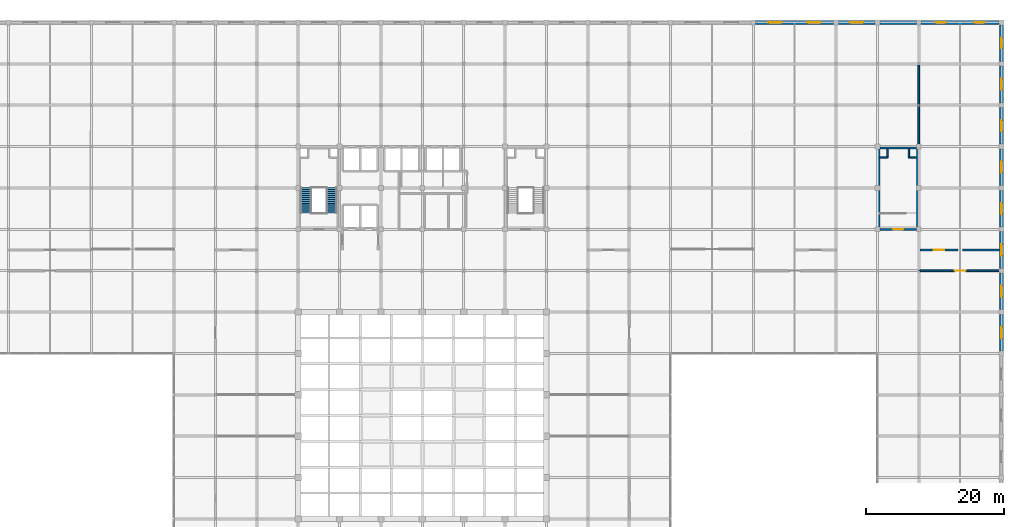
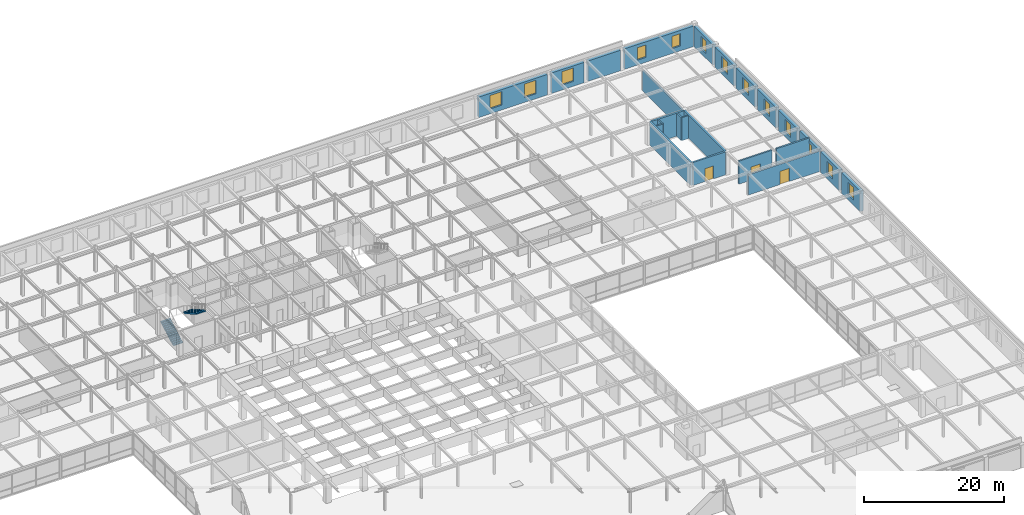
# One storey, part 109 of 111: 24 walls, 13 windows, 3 doors, 2 stair flights, 16 openings, 1 element without a shape of its own.
"""IFC4 building model written with IfcOpenShell, lengths in metres."""

from ifc_helpers import new_model, si_unit, direction, frame, frame_2d, origin, place, context, subcontext, project, spatial, polyline, rectangle, outline, extrude, material, layer, layer_set, type_object, element, fill, aggregate, save


model = new_model("IFC4")

# Units and contexts
model_context = context("Model", 3, precision=1e-05, world=origin(), true_north=direction((0.0, 1.0)))
body_context = subcontext(model_context, "Body", "Model", "MODEL_VIEW")
ifc_project = project(units=[si_unit("LENGTHUNIT", "METRE"), si_unit("AREAUNIT", "SQUARE_METRE"), si_unit("VOLUMEUNIT", "CUBIC_METRE"), si_unit("PLANEANGLEUNIT", "RADIAN"), si_unit("MASSUNIT", "GRAM", prefix="KILO")], contexts=[model_context])

# Site, building, storey
site_placement = place(None, origin())
site = spatial("IfcSite", under=ifc_project, at=site_placement, CompositionType="ELEMENT")
building_placement = place(site_placement, origin())
building = spatial("IfcBuilding", under=site, at=building_placement, Name="Zlatovratsky Civic Hall", CompositionType="ELEMENT")
storey_placement = place(building_placement, frame((0.0, 0.0, 16.5)))
storey = spatial("IfcBuildingStorey", under=building, at=storey_placement, Name="L04", CompositionType="ELEMENT", Elevation=16.5)

# Wall, opening, door
ifc_material_1 = material(Name="Acoustic ceramic blockwork", Category="masonry")
ifc_layer_1 = layer(ifc_material_1, 0.260009765625)
ifc_layer_set_1 = layer_set([ifc_layer_1], Name="Acoustic ceramic blockwork")
wall_type_1 = type_object("IfcWallType", Name="Wall_ArchiveCompartment_260", PredefinedType="PARTITIONING", material=ifc_layer_set_1)
wall_1_placement = place(storey_placement, frame((156.0, 78.0, 0.0), z_axis=(0.0, 0.0, 1.0), x_axis=(1.0, 0.0, 0.0)))
wall_1 = element("IfcWall", 1, at=wall_1_placement, inside=storey, type_object=wall_type_1, Name="WL-6223", PredefinedType="PARTITIONING", context=body_context, shape_type="SweptSolid", body=[
    extrude(rectangle(XDim=12.0, YDim=0.260009765625, at=frame_2d((6.0, 0.0))), origin(), (0.0, 0.0, 1.0), 3.512939453125),
])
opening_1_placement = place(wall_1_placement, frame((5.22509765625, 0.0, 0.0)))
opening_1 = element("IfcOpeningElement", 2, at=opening_1_placement, cuts=wall_1, Name="Opening D-15", PredefinedType="OPENING", context=body_context, shape_type="SweptSolid", body=[
    extrude(rectangle(XDim=1.550048828125, YDim=2.300048828125, at=frame_2d((0.77490234375, 1.14990234375))), frame((0.0, 0.14501953125, 0.0), z_axis=(0.0, -1.0, 0.0), x_axis=(1.0, 0.0, 0.0)), (0.0, 0.0, 1.0), 0.289794921875),
])
ifc_material_2 = material(Name="Insulated painted fire-rated steel leaf", Category="steel")
door_type_1 = type_object("IfcDoorType", Name="Door_CompactArchiveFire_1550x2300", OperationType="DOUBLE_DOOR_SINGLE_SWING", PredefinedType="DOOR", material=ifc_material_2)
door_1_placement = place(opening_1_placement, origin())
door_1 = element("IfcDoor", 3, at=door_1_placement, inside=storey, type_object=door_type_1, Name="DR-5324", OperationType="DOUBLE_DOOR_SINGLE_SWING", OverallHeight=2.300048828125, OverallWidth=1.550048828125, PredefinedType="DOOR", context=body_context, shape_type="SweptSolid", body=[
    extrude(rectangle(XDim=1.550048828125, YDim=2.300048828125, at=frame_2d((0.77490234375, 1.14990234375))), frame((0.0, 0.02490234375, 0.0), z_axis=(0.0, -1.0, 0.0), x_axis=(1.0, 0.0, 0.0)), (0.0, 0.0, 1.0), 0.050048828125),
])
fill(opening_1, door_1)

wall_2_placement = place(storey_placement, frame((156.199951171875, 81.0, 0.0), z_axis=(0.0, 0.0, 1.0), x_axis=(1.0, 0.0, 0.0)))
wall_2 = element("IfcWall", 4, at=wall_2_placement, inside=storey, type_object=wall_type_1, Name="WL-6239", PredefinedType="PARTITIONING", context=body_context, shape_type="SweptSolid", body=[
    extrude(rectangle(XDim=5.449951171875, YDim=0.260009765625, at=frame_2d((2.72509765625, 0.0))), origin(), (0.0, 0.0, 1.0), 4.0),
])
opening_2_placement = place(wall_2_placement, frame((1.949951171875, 0.0, 0.0)))
opening_2 = element("IfcOpeningElement", 5, at=opening_2_placement, cuts=wall_2, Name="Opening D-15", PredefinedType="OPENING", context=body_context, shape_type="SweptSolid", body=[
    extrude(rectangle(XDim=1.550048828125, YDim=2.300048828125, at=frame_2d((0.77490234375, 1.14990234375))), frame((0.0, 0.14501953125, 0.0), z_axis=(0.0, -1.0, 0.0), x_axis=(1.0, 0.0, 0.0)), (0.0, 0.0, 1.0), 0.289794921875),
])
door_2_placement = place(opening_2_placement, origin())
door_2 = element("IfcDoor", 6, at=door_2_placement, inside=storey, type_object=door_type_1, Name="DR-5340", OperationType="DOUBLE_DOOR_SINGLE_SWING", OverallHeight=2.300048828125, OverallWidth=1.550048828125, PredefinedType="DOOR", context=body_context, shape_type="SweptSolid", body=[
    extrude(rectangle(XDim=1.550048828125, YDim=2.300048828125, at=frame_2d((0.77490234375, 1.14990234375))), frame((0.0, 0.02490234375, 0.0), z_axis=(0.0, -1.0, 0.0), x_axis=(1.0, 0.0, 0.0)), (0.0, 0.0, 1.0), 0.050048828125),
])
fill(opening_2, door_2)

# Walls
wall_3_placement = place(storey_placement, frame((162.35009765625, 81.0, 0.0), z_axis=(0.0, 0.0, 1.0), x_axis=(1.0, 0.0, 0.0)))
element("IfcWall", 7, at=wall_3_placement, inside=storey, type_object=wall_type_1, Name="WL-6249", PredefinedType="PARTITIONING", context=body_context, shape_type="SweptSolid", body=[
    extrude(rectangle(XDim=5.449951171875, YDim=0.260009765625, at=frame_2d((2.72509765625, 0.0))), origin(), (0.0, 0.0, 1.0), 4.0),
])
wall_4_placement = place(storey_placement, frame((156.0, 96.199951171875, 0.0), z_axis=(0.0, 0.0, 1.0), x_axis=(0.0, 1.0, 0.0)))
element("IfcWall", 8, at=wall_4_placement, inside=storey, type_object=wall_type_1, Name="WL-6251", PredefinedType="PARTITIONING", context=body_context, shape_type="SweptSolid", body=[
    extrude(rectangle(XDim=11.60009765625, YDim=0.260009765625, at=frame_2d((5.800048828125, 0.0))), origin(), (0.0, 0.0, 1.0), 3.56005859375),
])

# Wall, openings, windows
ifc_layer_2 = layer(ifc_material_1, 0.39990234375, Name="Backing")
ifc_material_3 = material(Name="Polished Karelian granite ashlar", Category="masonry")
ifc_layer_3 = layer(ifc_material_3, 0.139892578125, Name="Finish")
ifc_layer_set_2 = layer_set([ifc_layer_2, ifc_layer_3], Name="Acoustic ceramic blockwork")
wall_type_2 = type_object("IfcWallType", Name="Wall_PodiumGraniteArcade_540", PredefinedType="SOLIDWALL", material=ifc_layer_set_2)
wall_5_placement = place(storey_placement, frame((132.35009765625, 114.0, 0.0), z_axis=(0.0, 0.0, 1.0), x_axis=(1.0, 0.0, 0.0)))
wall_5 = element("IfcWall", 9, at=wall_5_placement, inside=storey, type_object=wall_type_2, Name="WL-0351", PredefinedType="SOLIDWALL", context=body_context, shape_type="SweptSolid", body=[
    extrude(rectangle(XDim=11.2998046875, YDim=0.5400390625, at=frame_2d((5.64990234375, 0.0))), origin(), (0.0, 0.0, 1.0), 3.550048828125),
])
opening_3_placement = place(wall_5_placement, frame((1.85009765625, 0.0, 0.85009765625)))
opening_3 = element("IfcOpeningElement", 10, at=opening_3_placement, cuts=wall_5, Name="Opening WN-11", PredefinedType="OPENING", context=body_context, shape_type="SweptSolid", body=[
    extrude(rectangle(XDim=1.949951171875, YDim=2.35009765625, at=frame_2d((0.97509765625, 1.175048828125))), frame((0.0, 0.284912109375, 0.0), z_axis=(0.0, -1.0, 0.0), x_axis=(1.0, 0.0, 0.0)), (0.0, 0.0, 1.0), 0.56982421875),
])
opening_4_placement = place(wall_5_placement, frame((7.5, 0.0, 0.85009765625)))
opening_4 = element("IfcOpeningElement", 11, at=opening_4_placement, cuts=wall_5, Name="Opening WN-11", PredefinedType="OPENING", context=body_context, shape_type="SweptSolid", body=[
    extrude(rectangle(XDim=1.949951171875, YDim=2.35009765625, at=frame_2d((0.97509765625, 1.175048828125))), frame((0.0, 0.284912109375, 0.0), z_axis=(0.0, -1.0, 0.0), x_axis=(1.0, 0.0, 0.0)), (0.0, 0.0, 1.0), 0.56982421875),
])
ifc_material_4 = material(Name="Low-E laminated double glazing", Category="glass")
window_type_1 = type_object("IfcWindowType", Name="Window_AuditWingL04_1950x2350", PartitioningType="SINGLE_PANEL", PredefinedType="WINDOW", material=ifc_material_4)
window_1_placement = place(opening_3_placement, origin())
window_1 = element("IfcWindow", 12, at=window_1_placement, inside=storey, type_object=window_type_1, Name="WN-0278", OverallHeight=2.35009765625, OverallWidth=1.949951171875, PartitioningType="SINGLE_PANEL", PredefinedType="WINDOW", context=body_context, shape_type="SweptSolid", body=[
    extrude(rectangle(XDim=1.949951171875, YDim=2.35009765625, at=frame_2d((0.97509765625, 1.175048828125))), frame((0.0, 0.030029296875, 0.0), z_axis=(0.0, -1.0, 0.0), x_axis=(1.0, 0.0, 0.0)), (0.0, 0.0, 1.0), 0.06005859375),
])
fill(opening_3, window_1)
window_2_placement = place(opening_4_placement, origin())
window_2 = element("IfcWindow", 13, at=window_2_placement, inside=storey, type_object=window_type_1, Name="WN-0279", OverallHeight=2.35009765625, OverallWidth=1.949951171875, PartitioningType="SINGLE_PANEL", PredefinedType="WINDOW", context=body_context, shape_type="SweptSolid", body=[
    extrude(rectangle(XDim=1.949951171875, YDim=2.35009765625, at=frame_2d((0.97509765625, 1.175048828125))), frame((0.0, 0.030029296875, 0.0), z_axis=(0.0, -1.0, 0.0), x_axis=(1.0, 0.0, 0.0)), (0.0, 0.0, 1.0), 0.06005859375),
])
fill(opening_4, window_2)

# Wall, opening, window
wall_6_placement = place(storey_placement, frame((144.35009765625, 114.0, 0.0), z_axis=(0.0, 0.0, 1.0), x_axis=(1.0, 0.0, 0.0)))
wall_6 = element("IfcWall", 14, at=wall_6_placement, inside=storey, type_object=wall_type_2, Name="WL-0352", PredefinedType="SOLIDWALL", context=body_context, shape_type="SweptSolid", body=[
    extrude(rectangle(XDim=5.2998046875, YDim=0.5400390625, at=frame_2d((2.64990234375, 0.0))), origin(), (0.0, 0.0, 1.0), 3.550048828125),
])
opening_5_placement = place(wall_6_placement, frame((1.675048828125, 0.0, 0.85009765625)))
opening_5 = element("IfcOpeningElement", 15, at=opening_5_placement, cuts=wall_6, Name="Opening WN-11", PredefinedType="OPENING", context=body_context, shape_type="SweptSolid", body=[
    extrude(rectangle(XDim=1.949951171875, YDim=2.35009765625, at=frame_2d((0.97509765625, 1.175048828125))), frame((0.0, 0.284912109375, 0.0), z_axis=(0.0, -1.0, 0.0), x_axis=(1.0, 0.0, 0.0)), (0.0, 0.0, 1.0), 0.56982421875),
])
window_3_placement = place(opening_5_placement, origin())
window_3 = element("IfcWindow", 16, at=window_3_placement, inside=storey, type_object=window_type_1, Name="WN-0280", OverallHeight=2.35009765625, OverallWidth=1.949951171875, PartitioningType="SINGLE_PANEL", PredefinedType="WINDOW", context=body_context, shape_type="SweptSolid", body=[
    extrude(rectangle(XDim=1.949951171875, YDim=2.35009765625, at=frame_2d((0.97509765625, 1.175048828125))), frame((0.0, 0.030029296875, 0.0), z_axis=(0.0, -1.0, 0.0), x_axis=(1.0, 0.0, 0.0)), (0.0, 0.0, 1.0), 0.06005859375),
])
fill(opening_5, window_3)

# Wall
wall_7_placement = place(storey_placement, frame((150.35009765625, 114.0, 0.0), z_axis=(0.0, 0.0, 1.0), x_axis=(1.0, 0.0, 0.0)))
element("IfcWall", 17, at=wall_7_placement, inside=storey, type_object=wall_type_2, Name="WL-0353", PredefinedType="SOLIDWALL", context=body_context, shape_type="SweptSolid", body=[
    extrude(rectangle(XDim=5.2998046875, YDim=0.5400390625, at=frame_2d((2.64990234375, 0.0))), origin(), (0.0, 0.0, 1.0), 3.550048828125),
])

# Wall, openings, windows
wall_8_placement = place(storey_placement, frame((156.35009765625, 114.0, 0.0), z_axis=(0.0, 0.0, 1.0), x_axis=(1.0, 0.0, 0.0)))
wall_8 = element("IfcWall", 18, at=wall_8_placement, inside=storey, type_object=wall_type_2, Name="WL-0354", PredefinedType="SOLIDWALL", context=body_context, shape_type="SweptSolid", body=[
    extrude(rectangle(XDim=11.2998046875, YDim=0.5400390625, at=frame_2d((5.64990234375, 0.0))), origin(), (0.0, 0.0, 1.0), 3.550048828125),
])
opening_6_placement = place(wall_8_placement, frame((2.10009765625, 0.0, 0.85009765625)))
opening_6 = element("IfcOpeningElement", 19, at=opening_6_placement, cuts=wall_8, Name="Opening WN-28", PredefinedType="OPENING", context=body_context, shape_type="SweptSolid", body=[
    extrude(rectangle(XDim=1.449951171875, YDim=2.14990234375, at=frame_2d((0.72509765625, 1.074951171875))), frame((0.0, 0.284912109375, 0.0), z_axis=(0.0, -1.0, 0.0), x_axis=(1.0, 0.0, 0.0)), (0.0, 0.0, 1.0), 0.56982421875),
])
opening_7_placement = place(wall_8_placement, frame((7.75, 0.0, 0.85009765625)))
opening_7 = element("IfcOpeningElement", 20, at=opening_7_placement, cuts=wall_8, Name="Opening WN-28", PredefinedType="OPENING", context=body_context, shape_type="SweptSolid", body=[
    extrude(rectangle(XDim=1.449951171875, YDim=2.14990234375, at=frame_2d((0.72509765625, 1.074951171875))), frame((0.0, 0.284912109375, 0.0), z_axis=(0.0, -1.0, 0.0), x_axis=(1.0, 0.0, 0.0)), (0.0, 0.0, 1.0), 0.56982421875),
])
window_type_2 = type_object("IfcWindowType", Name="Window_CornerBastionUpper_1450x2150", PartitioningType="SINGLE_PANEL", PredefinedType="WINDOW", material=ifc_material_4)
window_4_placement = place(opening_6_placement, origin())
window_4 = element("IfcWindow", 21, at=window_4_placement, inside=storey, type_object=window_type_2, Name="WN-0281", OverallHeight=2.14990234375, OverallWidth=1.449951171875, PartitioningType="SINGLE_PANEL", PredefinedType="WINDOW", context=body_context, shape_type="SweptSolid", body=[
    extrude(rectangle(XDim=1.449951171875, YDim=2.14990234375, at=frame_2d((0.72509765625, 1.074951171875))), frame((0.0, 0.030029296875, 0.0), z_axis=(0.0, -1.0, 0.0), x_axis=(1.0, 0.0, 0.0)), (0.0, 0.0, 1.0), 0.06005859375),
])
fill(opening_6, window_4)
window_5_placement = place(opening_7_placement, origin())
window_5 = element("IfcWindow", 22, at=window_5_placement, inside=storey, type_object=window_type_2, Name="WN-0282", OverallHeight=2.14990234375, OverallWidth=1.449951171875, PartitioningType="SINGLE_PANEL", PredefinedType="WINDOW", context=body_context, shape_type="SweptSolid", body=[
    extrude(rectangle(XDim=1.449951171875, YDim=2.14990234375, at=frame_2d((0.72509765625, 1.074951171875))), frame((0.0, 0.030029296875, 0.0), z_axis=(0.0, -1.0, 0.0), x_axis=(1.0, 0.0, 0.0)), (0.0, 0.0, 1.0), 0.06005859375),
])
fill(opening_7, window_5)

# Wall, opening, window
wall_9_placement = place(storey_placement, frame((168.0, 66.35009765625, 0.0), z_axis=(0.0, 0.0, 1.0), x_axis=(0.0, 1.0, 0.0)))
wall_9 = element("IfcWall", 23, at=wall_9_placement, inside=storey, type_object=wall_type_2, Name="WL-0381", PredefinedType="SOLIDWALL", context=body_context, shape_type="SweptSolid", body=[
    extrude(rectangle(XDim=5.2998046875, YDim=0.5400390625, at=frame_2d((2.64990234375, 0.0))), origin(), (0.0, 0.0, 1.0), 3.550048828125),
])
opening_8_placement = place(wall_9_placement, frame((1.85009765625, 0.0, 0.85009765625)))
opening_8 = element("IfcOpeningElement", 24, at=opening_8_placement, cuts=wall_9, Name="Opening WN-12", PredefinedType="OPENING", context=body_context, shape_type="SweptSolid", body=[
    extrude(rectangle(XDim=1.60009765625, YDim=2.199951171875, at=frame_2d((0.800048828125, 1.10009765625))), frame((0.0, 0.284912109375, 0.0), z_axis=(0.0, -1.0, 0.0), x_axis=(1.0, 0.0, 0.0)), (0.0, 0.0, 1.0), 0.56982421875),
])
window_type_3 = type_object("IfcWindowType", Name="Window_CourtWingL04_1600x2200", PartitioningType="SINGLE_PANEL", PredefinedType="WINDOW", material=ifc_material_4)
window_6_placement = place(opening_8_placement, origin())
window_6 = element("IfcWindow", 25, at=window_6_placement, inside=storey, type_object=window_type_3, Name="WN-0313", OverallHeight=2.199951171875, OverallWidth=1.60009765625, PartitioningType="SINGLE_PANEL", PredefinedType="WINDOW", context=body_context, shape_type="SweptSolid", body=[
    extrude(rectangle(XDim=1.60009765625, YDim=2.199951171875, at=frame_2d((0.800048828125, 1.10009765625))), frame((0.0, 0.030029296875, 0.0), z_axis=(0.0, -1.0, 0.0), x_axis=(1.0, 0.0, 0.0)), (0.0, 0.0, 1.0), 0.06005859375),
])
fill(opening_8, window_6)

wall_10_placement = place(storey_placement, frame((168.0, 72.35009765625, 0.0), z_axis=(0.0, 0.0, 1.0), x_axis=(0.0, 1.0, 0.0)))
wall_10 = element("IfcWall", 26, at=wall_10_placement, inside=storey, type_object=wall_type_2, Name="WL-0382", PredefinedType="SOLIDWALL", context=body_context, shape_type="SweptSolid", body=[
    extrude(rectangle(XDim=5.2998046875, YDim=0.5400390625, at=frame_2d((2.64990234375, 0.0))), origin(), (0.0, 0.0, 1.0), 3.550048828125),
])
opening_9_placement = place(wall_10_placement, frame((1.85009765625, 0.0, 0.85009765625)))
opening_9 = element("IfcOpeningElement", 27, at=opening_9_placement, cuts=wall_10, Name="Opening WN-12", PredefinedType="OPENING", context=body_context, shape_type="SweptSolid", body=[
    extrude(rectangle(XDim=1.60009765625, YDim=2.199951171875, at=frame_2d((0.800048828125, 1.10009765625))), frame((0.0, 0.284912109375, 0.0), z_axis=(0.0, -1.0, 0.0), x_axis=(1.0, 0.0, 0.0)), (0.0, 0.0, 1.0), 0.56982421875),
])
window_7_placement = place(opening_9_placement, origin())
window_7 = element("IfcWindow", 28, at=window_7_placement, inside=storey, type_object=window_type_3, Name="WN-0314", OverallHeight=2.199951171875, OverallWidth=1.60009765625, PartitioningType="SINGLE_PANEL", PredefinedType="WINDOW", context=body_context, shape_type="SweptSolid", body=[
    extrude(rectangle(XDim=1.60009765625, YDim=2.199951171875, at=frame_2d((0.800048828125, 1.10009765625))), frame((0.0, 0.030029296875, 0.0), z_axis=(0.0, -1.0, 0.0), x_axis=(1.0, 0.0, 0.0)), (0.0, 0.0, 1.0), 0.06005859375),
])
fill(opening_9, window_7)

wall_11_placement = place(storey_placement, frame((168.0, 78.35009765625, 0.0), z_axis=(0.0, 0.0, 1.0), x_axis=(0.0, 1.0, 0.0)))
wall_11 = element("IfcWall", 29, at=wall_11_placement, inside=storey, type_object=wall_type_2, Name="WL-0383", PredefinedType="SOLIDWALL", context=body_context, shape_type="SweptSolid", body=[
    extrude(rectangle(XDim=5.2998046875, YDim=0.5400390625, at=frame_2d((2.64990234375, 0.0))), origin(), (0.0, 0.0, 1.0), 3.550048828125),
])
opening_10_placement = place(wall_11_placement, frame((1.85009765625, 0.0, 0.85009765625)))
opening_10 = element("IfcOpeningElement", 30, at=opening_10_placement, cuts=wall_11, Name="Opening WN-12", PredefinedType="OPENING", context=body_context, shape_type="SweptSolid", body=[
    extrude(rectangle(XDim=1.60009765625, YDim=2.199951171875, at=frame_2d((0.800048828125, 1.10009765625))), frame((0.0, 0.284912109375, 0.0), z_axis=(0.0, -1.0, 0.0), x_axis=(1.0, 0.0, 0.0)), (0.0, 0.0, 1.0), 0.56982421875),
])
window_8_placement = place(opening_10_placement, origin())
window_8 = element("IfcWindow", 31, at=window_8_placement, inside=storey, type_object=window_type_3, Name="WN-0315", OverallHeight=2.199951171875, OverallWidth=1.60009765625, PartitioningType="SINGLE_PANEL", PredefinedType="WINDOW", context=body_context, shape_type="SweptSolid", body=[
    extrude(rectangle(XDim=1.60009765625, YDim=2.199951171875, at=frame_2d((0.800048828125, 1.10009765625))), frame((0.0, 0.030029296875, 0.0), z_axis=(0.0, -1.0, 0.0), x_axis=(1.0, 0.0, 0.0)), (0.0, 0.0, 1.0), 0.06005859375),
])
fill(opening_10, window_8)

wall_12_placement = place(storey_placement, frame((168.0, 84.35009765625, 0.0), z_axis=(0.0, 0.0, 1.0), x_axis=(0.0, 1.0, 0.0)))
wall_12 = element("IfcWall", 32, at=wall_12_placement, inside=storey, type_object=wall_type_2, Name="WL-0384", PredefinedType="SOLIDWALL", context=body_context, shape_type="SweptSolid", body=[
    extrude(rectangle(XDim=5.2998046875, YDim=0.5400390625, at=frame_2d((2.64990234375, 0.0))), origin(), (0.0, 0.0, 1.0), 3.550048828125),
])
opening_11_placement = place(wall_12_placement, frame((1.85009765625, 0.0, 0.85009765625)))
opening_11 = element("IfcOpeningElement", 33, at=opening_11_placement, cuts=wall_12, Name="Opening WN-12", PredefinedType="OPENING", context=body_context, shape_type="SweptSolid", body=[
    extrude(rectangle(XDim=1.60009765625, YDim=2.199951171875, at=frame_2d((0.800048828125, 1.10009765625))), frame((0.0, 0.284912109375, 0.0), z_axis=(0.0, -1.0, 0.0), x_axis=(1.0, 0.0, 0.0)), (0.0, 0.0, 1.0), 0.56982421875),
])
window_9_placement = place(opening_11_placement, origin())
window_9 = element("IfcWindow", 34, at=window_9_placement, inside=storey, type_object=window_type_3, Name="WN-0316", OverallHeight=2.199951171875, OverallWidth=1.60009765625, PartitioningType="SINGLE_PANEL", PredefinedType="WINDOW", context=body_context, shape_type="SweptSolid", body=[
    extrude(rectangle(XDim=1.60009765625, YDim=2.199951171875, at=frame_2d((0.800048828125, 1.10009765625))), frame((0.0, 0.030029296875, 0.0), z_axis=(0.0, -1.0, 0.0), x_axis=(1.0, 0.0, 0.0)), (0.0, 0.0, 1.0), 0.06005859375),
])
fill(opening_11, window_9)

wall_13_placement = place(storey_placement, frame((168.0, 90.35009765625, 0.0), z_axis=(0.0, 0.0, 1.0), x_axis=(0.0, 1.0, 0.0)))
wall_13 = element("IfcWall", 35, at=wall_13_placement, inside=storey, type_object=wall_type_2, Name="WL-0385", PredefinedType="SOLIDWALL", context=body_context, shape_type="SweptSolid", body=[
    extrude(rectangle(XDim=5.2998046875, YDim=0.5400390625, at=frame_2d((2.64990234375, 0.0))), origin(), (0.0, 0.0, 1.0), 3.550048828125),
])
opening_12_placement = place(wall_13_placement, frame((1.85009765625, 0.0, 0.85009765625)))
opening_12 = element("IfcOpeningElement", 36, at=opening_12_placement, cuts=wall_13, Name="Opening WN-12", PredefinedType="OPENING", context=body_context, shape_type="SweptSolid", body=[
    extrude(rectangle(XDim=1.60009765625, YDim=2.199951171875, at=frame_2d((0.800048828125, 1.10009765625))), frame((0.0, 0.284912109375, 0.0), z_axis=(0.0, -1.0, 0.0), x_axis=(1.0, 0.0, 0.0)), (0.0, 0.0, 1.0), 0.56982421875),
])
window_10_placement = place(opening_12_placement, origin())
window_10 = element("IfcWindow", 37, at=window_10_placement, inside=storey, type_object=window_type_3, Name="WN-0317", OverallHeight=2.199951171875, OverallWidth=1.60009765625, PartitioningType="SINGLE_PANEL", PredefinedType="WINDOW", context=body_context, shape_type="SweptSolid", body=[
    extrude(rectangle(XDim=1.60009765625, YDim=2.199951171875, at=frame_2d((0.800048828125, 1.10009765625))), frame((0.0, 0.030029296875, 0.0), z_axis=(0.0, -1.0, 0.0), x_axis=(1.0, 0.0, 0.0)), (0.0, 0.0, 1.0), 0.06005859375),
])
fill(opening_12, window_10)

wall_14_placement = place(storey_placement, frame((168.0, 96.35009765625, 0.0), z_axis=(0.0, 0.0, 1.0), x_axis=(0.0, 1.0, 0.0)))
wall_14 = element("IfcWall", 38, at=wall_14_placement, inside=storey, type_object=wall_type_2, Name="WL-0386", PredefinedType="SOLIDWALL", context=body_context, shape_type="SweptSolid", body=[
    extrude(rectangle(XDim=5.2998046875, YDim=0.5400390625, at=frame_2d((2.64990234375, 0.0))), origin(), (0.0, 0.0, 1.0), 3.550048828125),
])
opening_13_placement = place(wall_14_placement, frame((1.85009765625, 0.0, 0.85009765625)))
opening_13 = element("IfcOpeningElement", 39, at=opening_13_placement, cuts=wall_14, Name="Opening WN-12", PredefinedType="OPENING", context=body_context, shape_type="SweptSolid", body=[
    extrude(rectangle(XDim=1.60009765625, YDim=2.199951171875, at=frame_2d((0.800048828125, 1.10009765625))), frame((0.0, 0.284912109375, 0.0), z_axis=(0.0, -1.0, 0.0), x_axis=(1.0, 0.0, 0.0)), (0.0, 0.0, 1.0), 0.56982421875),
])
window_11_placement = place(opening_13_placement, origin())
window_11 = element("IfcWindow", 40, at=window_11_placement, inside=storey, type_object=window_type_3, Name="WN-0318", OverallHeight=2.199951171875, OverallWidth=1.60009765625, PartitioningType="SINGLE_PANEL", PredefinedType="WINDOW", context=body_context, shape_type="SweptSolid", body=[
    extrude(rectangle(XDim=1.60009765625, YDim=2.199951171875, at=frame_2d((0.800048828125, 1.10009765625))), frame((0.0, 0.030029296875, 0.0), z_axis=(0.0, -1.0, 0.0), x_axis=(1.0, 0.0, 0.0)), (0.0, 0.0, 1.0), 0.06005859375),
])
fill(opening_13, window_11)

wall_15_placement = place(storey_placement, frame((168.0, 102.35009765625, 0.0), z_axis=(0.0, 0.0, 1.0), x_axis=(0.0, 1.0, 0.0)))
wall_15 = element("IfcWall", 41, at=wall_15_placement, inside=storey, type_object=wall_type_2, Name="WL-0387", PredefinedType="SOLIDWALL", context=body_context, shape_type="SweptSolid", body=[
    extrude(rectangle(XDim=5.2998046875, YDim=0.5400390625, at=frame_2d((2.64990234375, 0.0))), origin(), (0.0, 0.0, 1.0), 3.550048828125),
])
opening_14_placement = place(wall_15_placement, frame((1.85009765625, 0.0, 0.85009765625)))
opening_14 = element("IfcOpeningElement", 42, at=opening_14_placement, cuts=wall_15, Name="Opening WN-12", PredefinedType="OPENING", context=body_context, shape_type="SweptSolid", body=[
    extrude(rectangle(XDim=1.60009765625, YDim=2.199951171875, at=frame_2d((0.800048828125, 1.10009765625))), frame((0.0, 0.284912109375, 0.0), z_axis=(0.0, -1.0, 0.0), x_axis=(1.0, 0.0, 0.0)), (0.0, 0.0, 1.0), 0.56982421875),
])
window_12_placement = place(opening_14_placement, origin())
window_12 = element("IfcWindow", 43, at=window_12_placement, inside=storey, type_object=window_type_3, Name="WN-0319", OverallHeight=2.199951171875, OverallWidth=1.60009765625, PartitioningType="SINGLE_PANEL", PredefinedType="WINDOW", context=body_context, shape_type="SweptSolid", body=[
    extrude(rectangle(XDim=1.60009765625, YDim=2.199951171875, at=frame_2d((0.800048828125, 1.10009765625))), frame((0.0, 0.030029296875, 0.0), z_axis=(0.0, -1.0, 0.0), x_axis=(1.0, 0.0, 0.0)), (0.0, 0.0, 1.0), 0.06005859375),
])
fill(opening_14, window_12)

wall_16_placement = place(storey_placement, frame((168.0, 108.35009765625, 0.0), z_axis=(0.0, 0.0, 1.0), x_axis=(0.0, 1.0, 0.0)))
wall_16 = element("IfcWall", 44, at=wall_16_placement, inside=storey, type_object=wall_type_2, Name="WL-0388", PredefinedType="SOLIDWALL", context=body_context, shape_type="SweptSolid", body=[
    extrude(rectangle(XDim=5.2998046875, YDim=0.5400390625, at=frame_2d((2.64990234375, 0.0))), origin(), (0.0, 0.0, 1.0), 3.550048828125),
])
opening_15_placement = place(wall_16_placement, frame((1.925048828125, 0.0, 0.85009765625)))
opening_15 = element("IfcOpeningElement", 45, at=opening_15_placement, cuts=wall_16, Name="Opening WN-28", PredefinedType="OPENING", context=body_context, shape_type="SweptSolid", body=[
    extrude(rectangle(XDim=1.449951171875, YDim=2.14990234375, at=frame_2d((0.72509765625, 1.074951171875))), frame((0.0, 0.284912109375, 0.0), z_axis=(0.0, -1.0, 0.0), x_axis=(1.0, 0.0, 0.0)), (0.0, 0.0, 1.0), 0.56982421875),
])
window_13_placement = place(opening_15_placement, origin())
window_13 = element("IfcWindow", 46, at=window_13_placement, inside=storey, type_object=window_type_2, Name="WN-0320", OverallHeight=2.14990234375, OverallWidth=1.449951171875, PartitioningType="SINGLE_PANEL", PredefinedType="WINDOW", context=body_context, shape_type="SweptSolid", body=[
    extrude(rectangle(XDim=1.449951171875, YDim=2.14990234375, at=frame_2d((0.72509765625, 1.074951171875))), frame((0.0, 0.030029296875, 0.0), z_axis=(0.0, -1.0, 0.0), x_axis=(1.0, 0.0, 0.0)), (0.0, 0.0, 1.0), 0.06005859375),
])
fill(opening_15, window_13)

# Walls
ifc_layer_4 = layer(ifc_material_1, 0.219970703125)
ifc_layer_set_3 = layer_set([ifc_layer_4], Name="Acoustic ceramic blockwork")
wall_type_3 = type_object("IfcWallType", Name="Wall_SanitaryWetCore_220", PredefinedType="PARTITIONING", material=ifc_layer_set_3)
wall_17_placement = place(storey_placement, frame((151.449951171875, 94.39990234375, 0.0), z_axis=(0.0, 0.0, 1.0), x_axis=(0.0, 1.0, 0.0)))
element("IfcWall", 47, at=wall_17_placement, inside=storey, type_object=wall_type_3, Name="WL-5465", PredefinedType="PARTITIONING", context=body_context, shape_type="SweptSolid", body=[
    extrude(rectangle(XDim=1.25, YDim=0.219970703125, at=frame_2d((0.625, 0.0))), origin(), (0.0, 0.0, 1.0), 4.0),
])
wall_18_placement = place(storey_placement, frame((150.35009765625, 94.39990234375, 0.0), z_axis=(0.0, 0.0, 1.0), x_axis=(1.0, 0.0, 0.0)))
element("IfcWall", 48, at=wall_18_placement, inside=storey, type_object=wall_type_3, Name="WL-5466", PredefinedType="PARTITIONING", context=body_context, shape_type="SweptSolid", body=[
    extrude(rectangle(XDim=1.099853515625, YDim=0.219970703125, at=frame_2d((0.5498046875, 0.0))), origin(), (0.0, 0.0, 1.0), 4.0),
])
wall_19_placement = place(storey_placement, frame((154.550048828125, 94.39990234375, 0.0), z_axis=(0.0, 0.0, 1.0), x_axis=(0.0, 1.0, 0.0)))
element("IfcWall", 49, at=wall_19_placement, inside=storey, type_object=wall_type_3, Name="WL-5467", PredefinedType="PARTITIONING", context=body_context, shape_type="SweptSolid", body=[
    extrude(rectangle(XDim=1.25, YDim=0.219970703125, at=frame_2d((0.625, 0.0))), origin(), (0.0, 0.0, 1.0), 4.0),
])
wall_20_placement = place(storey_placement, frame((154.550048828125, 94.39990234375, 0.0), z_axis=(0.0, 0.0, 1.0), x_axis=(1.0, 0.0, 0.0)))
element("IfcWall", 50, at=wall_20_placement, inside=storey, type_object=wall_type_3, Name="WL-5468", PredefinedType="PARTITIONING", context=body_context, shape_type="SweptSolid", body=[
    extrude(rectangle(XDim=1.099853515625, YDim=0.219970703125, at=frame_2d((0.5498046875, 0.0))), origin(), (0.0, 0.0, 1.0), 4.0),
])

# Wall, opening, door
ifc_material_5 = material(Name="Concrete C35/45 (B40)", Category="concrete")
ifc_layer_5 = layer(ifc_material_5, 0.300048828125)
ifc_layer_set_4 = layer_set([ifc_layer_5], Name="Concrete C35/45 (B40)")
wall_type_4 = type_object("IfcWallType", Name="Wall_StairAndLiftShaft_300", PredefinedType="SHEAR", material=ifc_layer_set_4)
wall_21_placement = place(storey_placement, frame((150.35009765625, 84.0, 0.0), z_axis=(0.0, 0.0, 1.0), x_axis=(1.0, 0.0, 0.0)))
wall_21 = element("IfcWall", 51, at=wall_21_placement, inside=storey, type_object=wall_type_4, Name="WL-5461", PredefinedType="SHEAR", context=body_context, shape_type="SweptSolid", body=[
    extrude(rectangle(XDim=5.2998046875, YDim=0.300048828125, at=frame_2d((2.64990234375, 0.0))), origin(), (0.0, 0.0, 1.0), 4.0),
])
opening_16_placement = place(wall_21_placement, frame((1.925048828125, 0.0, 0.0)))
opening_16 = element("IfcOpeningElement", 52, at=opening_16_placement, cuts=wall_21, Name="Opening D-16", PredefinedType="OPENING", context=body_context, shape_type="SweptSolid", body=[
    extrude(rectangle(XDim=1.449951171875, YDim=2.25, at=frame_2d((0.72509765625, 1.125))), frame((0.0, 0.1650390625, 0.0), z_axis=(0.0, -1.0, 0.0), x_axis=(1.0, 0.0, 0.0)), (0.0, 0.0, 1.0), 0.329833984375),
])
door_type_2 = type_object("IfcDoorType", Name="Door_StairwellFirePodium_1450x2250", OperationType="NOTDEFINED", PredefinedType="DOOR", material=ifc_material_2)
door_3_placement = place(opening_16_placement, origin())
door_3 = element("IfcDoor", 53, at=door_3_placement, inside=storey, type_object=door_type_2, Name="DR-5058", OperationType="SINGLE_SWING_LEFT", OverallHeight=2.25, OverallWidth=1.449951171875, PredefinedType="DOOR", context=body_context, shape_type="SweptSolid", body=[
    extrude(rectangle(XDim=1.449951171875, YDim=2.25, at=frame_2d((0.72509765625, 1.125))), frame((0.0, 0.02490234375, 0.0), z_axis=(0.0, -1.0, 0.0), x_axis=(1.0, 0.0, 0.0)), (0.0, 0.0, 1.0), 0.050048828125),
])
fill(opening_16, door_3)

# Walls
wall_22_placement = place(storey_placement, frame((150.35009765625, 95.800048828125, 0.0), z_axis=(0.0, 0.0, 1.0), x_axis=(1.0, 0.0, 0.0)))
element("IfcWall", 54, at=wall_22_placement, inside=storey, type_object=wall_type_4, Name="WL-5462", PredefinedType="SHEAR", context=body_context, shape_type="SweptSolid", body=[
    extrude(rectangle(XDim=5.2998046875, YDim=0.300048828125, at=frame_2d((2.64990234375, 0.0))), origin(), (0.0, 0.0, 1.0), 4.0),
])
for number, where, z_axis, x_axis, name in (
    (55, (150.199951171875, 84.0, 0.0), (0.0, 0.0, 1.0), (0.0, 1.0, 0.0), "WL-5463"),
    (56, (155.800048828125, 84.0, 0.0), (0.0, 0.0, 1.0), (0.0, 1.0, 0.0), "WL-5464"),
):
    element("IfcWall", number, at=place(storey_placement, frame(where, z_axis=z_axis, x_axis=x_axis)), inside=storey, type_object=wall_type_4, Name=name, PredefinedType="SHEAR", context=body_context, shape_type="SweptSolid", body=[
        extrude(rectangle(XDim=11.800048828125, YDim=0.300048828125, at=frame_2d((5.89990234375, 0.0))), origin(), (0.0, 0.0, 1.0), 4.0),
    ])

# Stair, stair flights
ifc_material_6 = material(Name="Concrete C30/37 (B35)", Category="concrete")
stair_type = type_object("IfcStairType", Name="Stair_HALF_28R_1550W_03", PredefinedType="HALF_TURN_STAIR", material=ifc_material_6)
stair_placement = place(storey_placement, origin())
stair = element("IfcStair", 57, at=stair_placement, inside=storey, type_object=stair_type, Name="ST-005", PredefinedType="HALF_TURN_STAIR")
stair_flight_type = type_object("IfcStairFlightType", Name="StairFlight_14R_1550W_03", PredefinedType="STRAIGHT", material=ifc_material_6)
stair_flight_1_placement = place(storey_placement, frame((67.125, 86.35009765625, 0.0), z_axis=(0.0, 0.0, 1.0), x_axis=(0.0, 1.0, 0.0)))
stair_flight_1 = element("IfcStairFlight", 58, at=stair_flight_1_placement, type_object=stair_flight_type, Name="ST-005-F1", NumberOfRisers=14, NumberOfTreads=13, PredefinedType="STRAIGHT", RiserHeight=0.160714286, TreadLength=0.285, context=body_context, shape_type="SweptSolid", body=[
    extrude(outline(polyline([(0.0, 0.0), (0.0, 0.16064453125), (0.284912109375, 0.16064453125), (0.284912109375, 0.321533203125), (0.570068359375, 0.321533203125), (0.570068359375, 0.482177734375), (0.85498046875, 0.482177734375), (0.85498046875, 0.642822265625), (1.139892578125, 0.642822265625), (1.139892578125, 0.803466796875), (1.425048828125, 0.803466796875), (1.425048828125, 0.96435546875), (1.7099609375, 0.96435546875), (1.7099609375, 1.125), (1.9951171875, 1.125), (1.9951171875, 1.28564453125), (2.280029296875, 1.28564453125), (2.280029296875, 1.446533203125), (2.56494140625, 1.446533203125), (2.56494140625, 1.607177734375), (2.85009765625, 1.607177734375), (2.85009765625, 1.767822265625), (3.135009765625, 1.767822265625), (3.135009765625, 1.928466796875), (3.419921875, 1.928466796875), (3.419921875, 2.08935546875), (3.705078125, 2.08935546875), (3.705078125, 2.25), (3.705078125, 1.8828125), (0.3662109375, 0.0), (0.0, 0.0)])), frame((0.0, 0.77490234375, 0.0), z_axis=(0.0, -1.0, 0.0), x_axis=(1.0, 0.0, 0.0)), (0.0, 0.0, 1.0), 1.550048828125),
])
stair_flight_2_placement = place(storey_placement, frame((70.875, 90.054931640625, 2.25), z_axis=(0.0, 0.0, 1.0), x_axis=(0.0, -1.0, 0.0)))
stair_flight_2 = element("IfcStairFlight", 59, at=stair_flight_2_placement, type_object=stair_flight_type, Name="ST-005-F2", NumberOfRisers=14, NumberOfTreads=13, PredefinedType="STRAIGHT", RiserHeight=0.160714286, TreadLength=0.285, context=body_context, shape_type="SweptSolid", body=[
    extrude(outline(polyline([(0.0, 0.0), (0.0, 0.16064453125), (0.284912109375, 0.16064453125), (0.284912109375, 0.321533203125), (0.570068359375, 0.321533203125), (0.570068359375, 0.482177734375), (0.85498046875, 0.482177734375), (0.85498046875, 0.642822265625), (1.139892578125, 0.642822265625), (1.139892578125, 0.803466796875), (1.425048828125, 0.803466796875), (1.425048828125, 0.96435546875), (1.7099609375, 0.96435546875), (1.7099609375, 1.125), (1.9951171875, 1.125), (1.9951171875, 1.28564453125), (2.280029296875, 1.28564453125), (2.280029296875, 1.446533203125), (2.56494140625, 1.446533203125), (2.56494140625, 1.607177734375), (2.85009765625, 1.607177734375), (2.85009765625, 1.767822265625), (3.135009765625, 1.767822265625), (3.135009765625, 1.928466796875), (3.419921875, 1.928466796875), (3.419921875, 2.08935546875), (3.705078125, 2.08935546875), (3.705078125, 2.25), (3.705078125, 1.8828125), (0.3662109375, 0.0), (0.0, 0.0)])), frame((0.0, 0.77490234375, 0.0), z_axis=(0.0, -1.0, 0.0), x_axis=(1.0, 0.0, 0.0)), (0.0, 0.0, 1.0), 1.550048828125),
])
aggregate(stair, [stair_flight_1, stair_flight_2])

save(model, "model.ifc")
